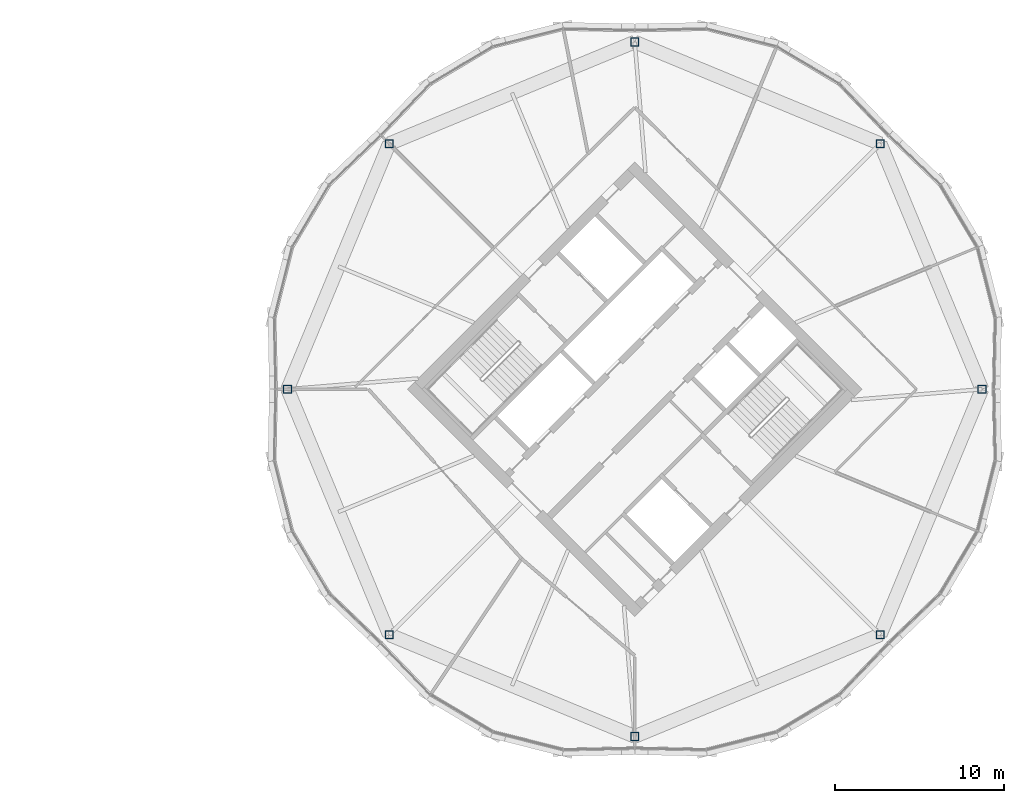
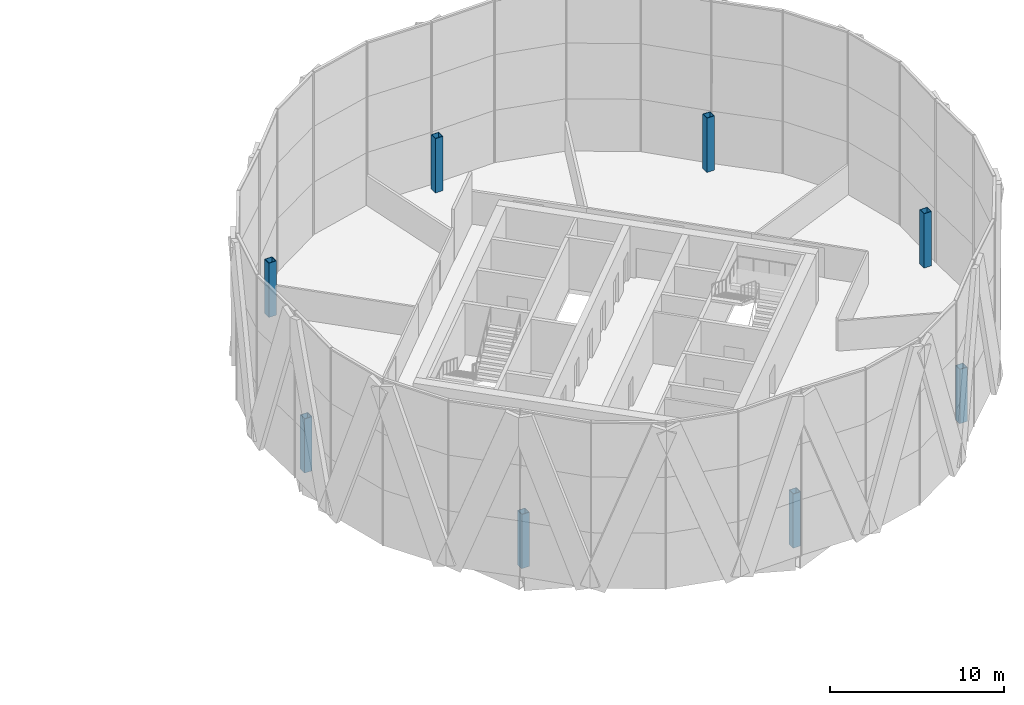
# One storey, part 2 of 25: 8 columns.
"""IFC4 building model written with IfcOpenShell, lengths in metres."""

import ifcopenshell
import ifcopenshell.guid

model = None  # the IFC model being written
_history = None  # IfcOwnerHistory: only IFC2X3 demands one
_inside = {}  # id of a spatial element -> (the spatial element, [elements in it])
_under = {}  # id of a project, library or spatial element -> (it, [spatial elements below it])
_declared = {}  # id of a project -> (the project, [libraries it declares])
_typed = {}  # id of a type object -> (the type object, [elements of that type])
_made_of = {}  # id of a material, layer set ... -> (it, [elements and type objects made of it])


def new_model(schema):
    """Start an empty IFC model of exactly this schema.

    Asked for "IFC4X3", IfcOpenShell would pick the latest addendum, in which some entities
    have other attributes; the version numbers below select the first issue.
    IFC2X3 requires an IfcOwnerHistory on every rooted entity: one is made here for all.
    """
    global model, _history
    if schema == "IFC4X3":
        model = ifcopenshell.file(schema_version=(4, 3, 0, 0))
    else:
        model = ifcopenshell.file(schema=schema)
    _inside.clear()
    _under.clear()
    _declared.clear()
    _typed.clear()
    _made_of.clear()
    _history = None
    if model.schema == "IFC2X3":
        org = make("IfcOrganization", Name="unknown")
        user = make(
            "IfcPersonAndOrganization",
            ThePerson=make("IfcPerson", FamilyName="unknown"),
            TheOrganization=org,
        )
        app = make(
            "IfcApplication",
            ApplicationDeveloper=org,
            Version="unknown",
            ApplicationFullName="unknown",
            ApplicationIdentifier="unknown",
        )
        _history = make(
            "IfcOwnerHistory",
            OwningUser=user,
            OwningApplication=app,
            ChangeAction="ADDED",
            CreationDate=0,
        )
    return model


def make(cls, **values):
    """One entity of the class cls with the attributes given. An attribute that is None is left unset."""
    return model.create_entity(
        cls, **{name: value for name, value in values.items() if value is not None}
    )


def rooted(cls, **values):
    """An entity with a GlobalId (a new one), such as an element, a storey or a relation."""
    return make(cls, GlobalId=ifcopenshell.guid.new(), OwnerHistory=_history, **values)


def si_unit(unit_type, name, prefix=None):
    """IfcSIUnit, for example si_unit("LENGTHUNIT", "METRE", prefix="MILLI")."""
    return make("IfcSIUnit", UnitType=unit_type, Prefix=prefix, Name=name)


def assignment(units):
    """IfcUnitAssignment: the units of a project."""
    return None if units is None else make("IfcUnitAssignment", Units=units)


def point(xyz):
    """IfcCartesianPoint."""
    return None if xyz is None else make("IfcCartesianPoint", Coordinates=xyz)


def direction(xyz):
    """IfcDirection."""
    return None if xyz is None else make("IfcDirection", DirectionRatios=xyz)


def frame(location, z_axis=None, x_axis=None):
    """IfcAxis2Placement3D, a coordinate frame: its origin and axes. An axis left out is left unset."""
    return make(
        "IfcAxis2Placement3D",
        Location=point(location),
        Axis=direction(z_axis),
        RefDirection=direction(x_axis),
    )


def frame_2d(location, x_axis=None):
    """IfcAxis2Placement2D, a coordinate frame in the plane: its origin and x axis."""
    return make(
        "IfcAxis2Placement2D", Location=point(location), RefDirection=direction(x_axis)
    )


def origin():
    """The frame at (0, 0, 0) with its axes left unset."""
    return frame((0.0, 0.0, 0.0))


def origin_2d():
    """The frame at (0, 0) in the plane with its x axis left unset."""
    return frame_2d((0.0, 0.0))


def place(relative_to, where):
    """IfcLocalPlacement: puts the frame where relative to a parent placement (None: the world)."""
    return make(
        "IfcLocalPlacement", PlacementRelTo=relative_to, RelativePlacement=where
    )


def context(
    kind, dimensions, precision=None, world=None, true_north=None, identifier=None
):
    """IfcGeometricRepresentationContext, for example the 3D "Model" context."""
    return make(
        "IfcGeometricRepresentationContext",
        ContextIdentifier=identifier,
        ContextType=kind,
        CoordinateSpaceDimension=dimensions,
        Precision=precision,
        WorldCoordinateSystem=world,
        TrueNorth=true_north,
    )


def subcontext(parent, identifier, kind, view, scale=None):
    """IfcGeometricRepresentationSubContext, for example "Body" below "Model"."""
    return make(
        "IfcGeometricRepresentationSubContext",
        ContextIdentifier=identifier,
        ContextType=kind,
        ParentContext=parent,
        TargetScale=scale,
        TargetView=view,
    )


def project(units=None, contexts=None):
    """IfcProject with its units and contexts."""
    return rooted(
        "IfcProject",
        Name="project",
        RepresentationContexts=contexts,
        UnitsInContext=assignment(units),
    )


def spatial(cls, under=None, at=None, **own):
    """A site, building, storey or space (cls), placed at a placement, below another one or the project."""
    s = rooted(cls, ObjectPlacement=at, **own)
    if under is not None:
        _under.setdefault(under.id(), (under, []))[1].append(s)
    return s


def profile(cls, at=None, kind="AREA", **sizes):
    """A parametric profile (cls). Its sizes go by their IFC names, for example OverallWidth=200.0."""
    return make(cls, ProfileType=kind, Position=at, **sizes)


def hollow_rectangle(**sizes):
    """IfcRectangleHollowProfileDef."""
    return profile("IfcRectangleHollowProfileDef", **sizes)


def extrude(swept, where, along, depth):
    """IfcExtrudedAreaSolid: the profile swept, set in the frame where, extruded along a direction by depth."""
    return make(
        "IfcExtrudedAreaSolid",
        SweptArea=swept,
        Position=where,
        ExtrudedDirection=direction(along),
        Depth=depth,
    )


def shape(context_of_items, identifier, shape_type, items):
    """IfcShapeRepresentation: the items that make up one representation, for example the "Body"."""
    return make(
        "IfcShapeRepresentation",
        ContextOfItems=context_of_items,
        RepresentationIdentifier=identifier,
        RepresentationType=shape_type,
        Items=items,
    )


def material(Name=None, Category=None):
    """IfcMaterial."""
    return make("IfcMaterial", Name=Name, Category=Category)


def material_profile(
    of_material, cross_section, Name=None, Category=None, Priority=None
):
    """IfcMaterialProfile: a cross section and its material."""
    return make(
        "IfcMaterialProfile",
        Name=Name,
        Material=of_material,
        Profile=cross_section,
        Priority=Priority,
        Category=Category,
    )


def profile_set(profiles, Name=None, composite=None):
    """IfcMaterialProfileSet."""
    return make(
        "IfcMaterialProfileSet",
        Name=Name,
        MaterialProfiles=profiles,
        CompositeProfile=composite,
    )


def made_of(thing, what):
    """Note that an element or type object is made of a material, layer set ...; save() writes the relation."""
    if what is not None:
        _made_of.setdefault(what.id(), (what, []))[1].append(thing)
    return thing


def type_object(cls, material=None, **own):
    """A type object (cls), such as IfcWallType, which elements share."""
    return made_of(rooted(cls, **own), material)


def element(
    cls,
    number,
    at=None,
    inside=None,
    cuts=None,
    type_object=None,
    material=None,
    context=None,
    identifier="Body",
    shape_type=None,
    held_by="IfcProductDefinitionShape",
    body=None,
    shapes=None,
    **own,
):
    """One element of the class cls, such as IfcWall. Its Tag is "e" and its number.

    at: its placement. inside: the storey or other place that contains it. cuts: it is an
    opening in that element (IfcRelVoidsElement). A single representation is given by context,
    identifier, shape_type and body (its items); several are given by shapes. held_by: the class
    of the entity that holds the representations. save() writes the other relations.
    """
    e = rooted(cls, Tag="e%d" % number, ObjectPlacement=at, **own)
    if body is not None:
        shapes = [shape(context, identifier, shape_type, body)]
    if shapes is not None:
        e.Representation = make(held_by, Representations=shapes)
    if inside is not None:
        _inside.setdefault(inside.id(), (inside, []))[1].append(e)
    if cuts is not None:
        rooted(
            "IfcRelVoidsElement", RelatingBuildingElement=cuts, RelatedOpeningElement=e
        )
    if type_object is not None:
        _typed.setdefault(type_object.id(), (type_object, []))[1].append(e)
    return made_of(e, material)


def aggregate(whole, parts):
    """IfcRelAggregates: a whole, such as a stair, and the parts it consists of."""
    return rooted("IfcRelAggregates", RelatingObject=whole, RelatedObjects=parts)


def save(model, path):
    """Write the relations noted so far, then the file.

    IfcRelAggregates (storeys below a building ...), IfcRelContainedInSpatialStructure (elements
    in a storey), IfcRelDefinesByType, IfcRelAssociatesMaterial and IfcRelDeclares: one each for
    every whole, place, type object, material and project.
    """
    for whole, parts in _under.values():
        aggregate(whole, parts)
    for where, things in _inside.values():
        rooted(
            "IfcRelContainedInSpatialStructure",
            RelatedElements=things,
            RelatingStructure=where,
        )
    for kind, things in _typed.values():
        rooted("IfcRelDefinesByType", RelatedObjects=things, RelatingType=kind)
    for what, things in _made_of.values():
        rooted("IfcRelAssociatesMaterial", RelatedObjects=things, RelatingMaterial=what)
    for by, libraries in _declared.values():
        rooted("IfcRelDeclares", RelatingContext=by, RelatedDefinitions=libraries)
    model.write(path)


model = new_model("IFC4")

# Units and contexts
model_context = context("Model", 3, precision=1e-05, world=origin(), true_north=direction((0.0, 1.0)))
body_context = subcontext(model_context, "Body", "Model", "MODEL_VIEW")
ifc_project = project(units=[si_unit("LENGTHUNIT", "METRE"), si_unit("AREAUNIT", "SQUARE_METRE"), si_unit("VOLUMEUNIT", "CUBIC_METRE"), si_unit("PLANEANGLEUNIT", "RADIAN"), si_unit("MASSUNIT", "GRAM", prefix="KILO")], contexts=[model_context])

# Site, building, storey
site_placement = place(None, origin())
site = spatial("IfcSite", under=ifc_project, at=site_placement, CompositionType="ELEMENT")
building_placement = place(site_placement, origin())
building = spatial("IfcBuilding", under=site, at=building_placement, Name="Ogive Gate Towers", CompositionType="ELEMENT")
storey_placement = place(building_placement, frame((0.0, 0.0, 196.800048828125)))
storey = spatial("IfcBuildingStorey", under=building, at=storey_placement, Name="L47", CompositionType="ELEMENT", Elevation=196.800048828125)

# Columns
ifc_material = material(Name="Steel SM460", Category="steel")
ifc_material_profile = material_profile(ifc_material, hollow_rectangle(XDim=0.5, YDim=0.5, WallThickness=0.030029296875, at=origin_2d()), Name="BX 500x500x30")
ifc_profile_set = profile_set([ifc_material_profile], Name="Steel SM460")
column_type = type_object("IfcColumnType", Name="Perimeter post BX 500x500x30", PredefinedType="COLUMN", material=ifc_profile_set)
for number, where, z_axis, x_axis, name in (
    (1, (56.52001953125, 0.0, 0.0), (0.0, 0.0, 1.0), (1.0, 0.0, 0.0), "T2/L47/SCL001"),
    (2, (50.509765625, 14.509765625, 0.0), (0.0, 0.0, 1.0), (1.0, 0.0, 0.0), "T2/L47/SCL002"),
    (3, (36.0, 20.52001953125, 0.0), (0.0, 0.0, 1.0), (1.0, 0.0, 0.0), "T2/L47/SCL003"),
    (4, (21.490234375, 14.509765625, 0.0), (0.0, 0.0, 1.0), (1.0, 0.0, 0.0), "T2/L47/SCL004"),
    (5, (15.47998046875, 0.0, 0.0), (0.0, 0.0, 1.0), (1.0, 0.0, 0.0), "T2/L47/SCL005"),
    (6, (21.490234375, -14.509765625, 0.0), (0.0, 0.0, 1.0), (1.0, 0.0, 0.0), "T2/L47/SCL006"),
    (7, (36.0, -20.52001953125, 0.0), (0.0, 0.0, 1.0), (1.0, 0.0, 0.0), "T2/L47/SCL007"),
    (8, (50.509765625, -14.509765625, 0.0), (0.0, 0.0, 1.0), (1.0, 0.0, 0.0), "T2/L47/SCL008"),
):
    element("IfcColumn", number, at=place(storey_placement, frame(where, z_axis=z_axis, x_axis=x_axis)), inside=storey, type_object=column_type, Name=name, PredefinedType="COLUMN", context=body_context, shape_type="SweptSolid", body=[
        extrude(hollow_rectangle(XDim=0.5, YDim=0.5, WallThickness=0.030029296875, at=origin_2d()), origin(), (0.0, 0.0, 1.0), 3.800048828125),
    ])

save(model, "model.ifc")
